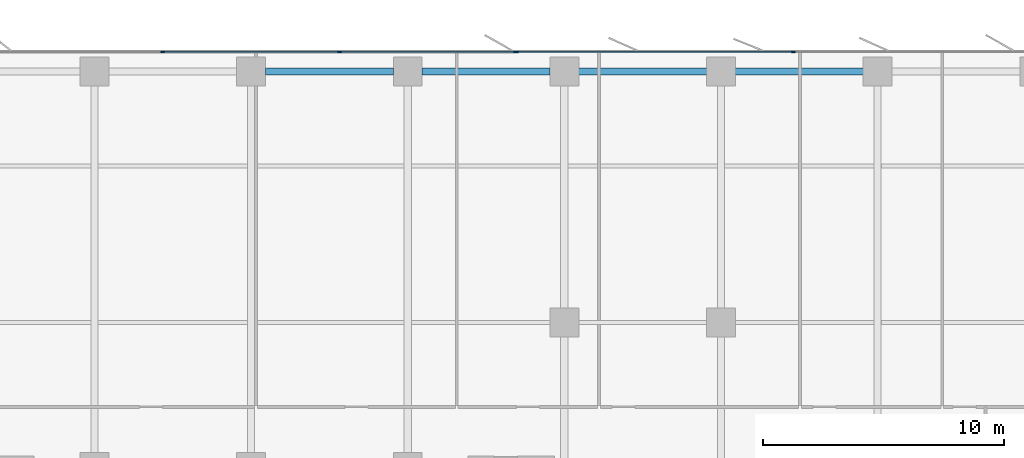
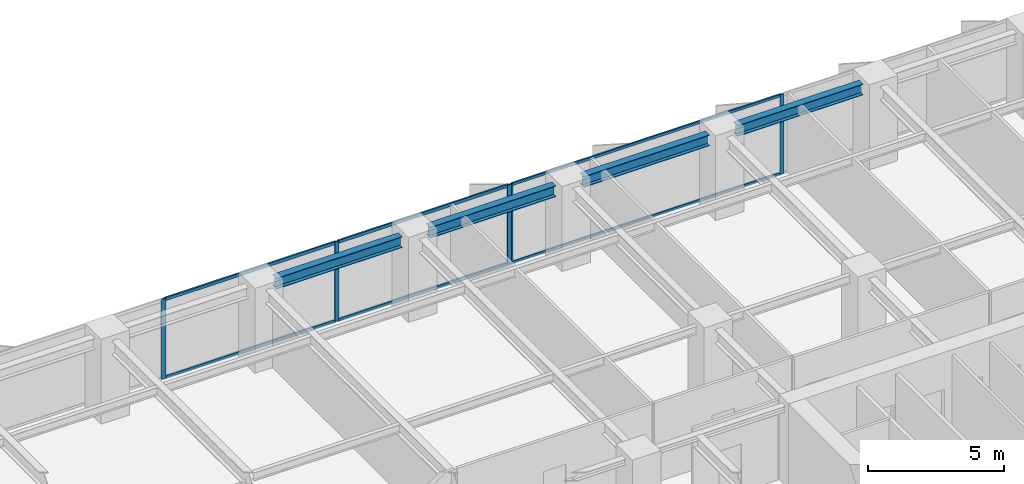
# One storey, part 9 of 20: 11 members, 4 beams, 2 elements without a shape of their own.
"""IFC4 building model written with IfcOpenShell, lengths in metres."""

from ifc_helpers import new_model, si_unit, direction, frame, origin, origin_2d, place, context, subcontext, project, spatial, rectangle, i_section, extrude, material, layer, layer_set, material_profile, profile_set, type_object, element, aggregate, save


model = new_model("IFC4")

# Units and contexts
model_context = context("Model", 3, precision=1e-05, world=origin(), true_north=direction((0.0, 1.0)))
body_context = subcontext(model_context, "Body", "Model", "MODEL_VIEW")
ifc_project = project(units=[si_unit("LENGTHUNIT", "METRE"), si_unit("AREAUNIT", "SQUARE_METRE"), si_unit("VOLUMEUNIT", "CUBIC_METRE"), si_unit("PLANEANGLEUNIT", "RADIAN"), si_unit("MASSUNIT", "GRAM", prefix="KILO")], contexts=[model_context])

# Site, building, storey
site_placement = place(None, origin())
site = spatial("IfcSite", under=ifc_project, at=site_placement, CompositionType="ELEMENT")
building_placement = place(site_placement, origin())
building = spatial("IfcBuilding", under=site, at=building_placement, Name="Putna Gate Headquarters", CompositionType="ELEMENT")
storey_placement = place(building_placement, frame((0.0, 0.0, 105.0)))
storey = spatial("IfcBuildingStorey", under=building, at=storey_placement, Name="L25", CompositionType="ELEMENT", Elevation=105.0)

# Beams
ifc_material_1 = material(Name="Steel S355J2", Category="steel")
ifc_material_profile_1 = material_profile(ifc_material_1, i_section(OverallWidth=0.300048828125, OverallDepth=0.489990234375, WebThickness=0.011962890625, FlangeThickness=0.02294921875, at=origin_2d()), Name="Steel S355J2")
ifc_profile_set_1 = profile_set([ifc_material_profile_1], Name="Steel S355J2")
beam_type = type_object("IfcBeamType", Name="BM-SPAN-Z2-HEA500", PredefinedType="SPANDREL", material=ifc_profile_set_1)
for number, where, z_axis, x_axis, name in (
    (1, (39.587890625, 49.419921875, 3.320068359375), (1.0, 0.0, 0.0), (0.0, 1.0, 0.0), "L25 N Perimeter Spandrel 6"),
    (2, (46.087890625, 49.419921875, 3.320068359375), (1.0, 0.0, 0.0), (0.0, 1.0, 0.0), "L25 N Perimeter Spandrel 7"),
    (3, (52.587890625, 49.419921875, 3.320068359375), (1.0, 0.0, 0.0), (0.0, 1.0, 0.0), "L25 N Perimeter Spandrel 8"),
    (4, (59.087890625, 49.419921875, 3.320068359375), (1.0, 0.0, 0.0), (0.0, 1.0, 0.0), "L25 N Perimeter Spandrel 9"),
):
    element("IfcBeam", number, at=place(storey_placement, frame(where, z_axis=z_axis, x_axis=x_axis)), inside=storey, type_object=beam_type, Name=name, PredefinedType="SPANDREL", context=body_context, shape_type="SweptSolid", body=[
        extrude(i_section(OverallWidth=0.300048828125, OverallDepth=0.489990234375, WebThickness=0.011962890625, FlangeThickness=0.02294921875, at=origin_2d()), origin(), (0.0, 0.0, 1.0), 5.32421875),
    ])

# Curtain wall, members
ifc_material_2 = material(Name="Anodised bronze aluminium curtain wall", Category="aluminium")
ifc_layer_1 = layer(ifc_material_2, 0.159912109375)
ifc_layer_set_1 = layer_set([ifc_layer_1], Name="Anodised bronze aluminium curtain wall")
curtain_wall_type_1 = type_object("IfcCurtainWallType", Name="CW-SYS-Z2", PredefinedType="USERDEFINED", material=ifc_layer_set_1)
curtain_wall_1_placement = place(storey_placement, origin())
curtain_wall_1 = element("IfcCurtainWall", 5, at=curtain_wall_1_placement, inside=storey, type_object=curtain_wall_type_1, Name="L25 North East Curtain Wall", ObjectType="STICK CURTAIN WALL", PredefinedType="USERDEFINED")
ifc_material_3 = material(Name="Anodised bronze aluminium EN AW-6060", Category="aluminium")
ifc_material_profile_2 = material_profile(ifc_material_3, rectangle(XDim=0.06494140625, YDim=0.159912109375, at=origin_2d()), Name="Anodised bronze aluminium EN AW-6060")
ifc_profile_set_2 = profile_set([ifc_material_profile_2], Name="Anodised bronze aluminium EN AW-6060")
member_type_1 = type_object("IfcMemberType", Name="MULL-CWM-2", PredefinedType="MULLION", material=ifc_profile_set_2)
member_1_placement = place(storey_placement, frame((50.032470703125, 50.219970703125, 0.0), z_axis=(0.0, 0.0, 1.0), x_axis=(0.0, 1.0, 0.0)))
member_1 = element("IfcMember", 6, at=member_1_placement, type_object=member_type_1, Name="CWS-2 mullion 1", PredefinedType="MULLION", context=body_context, shape_type="SweptSolid", body=[
    extrude(rectangle(XDim=0.06494140625, YDim=0.159912109375, at=origin_2d()), origin(), (0.0, 0.0, 1.0), 3.56494140625),
])
member_2_placement = place(storey_placement, frame((61.5, 50.219970703125, 0.0), z_axis=(0.0, 0.0, 1.0), x_axis=(0.0, 1.0, 0.0)))
member_2 = element("IfcMember", 7, at=member_2_placement, type_object=member_type_1, Name="CWS-2 mullion 2", PredefinedType="MULLION", context=body_context, shape_type="SweptSolid", body=[
    extrude(rectangle(XDim=0.06494140625, YDim=0.159912109375, at=origin_2d()), origin(), (0.0, 0.0, 1.0), 3.56494140625),
])

ifc_layer_2 = layer(ifc_material_2, 0.179931640625)
ifc_layer_set_2 = layer_set([ifc_layer_2], Name="Anodised bronze aluminium curtain wall")
curtain_wall_type_2 = type_object("IfcCurtainWallType", Name="CW-SYS-ATR", PredefinedType="USERDEFINED", material=ifc_layer_set_2)
curtain_wall_2_placement = place(storey_placement, origin())
curtain_wall_2 = element("IfcCurtainWall", 8, at=curtain_wall_2_placement, inside=storey, type_object=curtain_wall_type_2, Name="L25 North Atrium Clear Glazing", ObjectType="ATRIUM GLAZING", PredefinedType="USERDEFINED")
ifc_material_profile_3 = material_profile(ifc_material_3, rectangle(XDim=0.070068359375, YDim=0.179931640625, at=origin_2d()), Name="Anodised bronze aluminium EN AW-6060")
ifc_profile_set_3 = profile_set([ifc_material_profile_3], Name="Anodised bronze aluminium EN AW-6060")
member_type_2 = type_object("IfcMemberType", Name="MULL-CWM-AT", PredefinedType="MULLION", material=ifc_profile_set_3)
member_3_placement = place(storey_placement, frame((35.333251953125, 50.219970703125, 0.0), z_axis=(0.0, 0.0, 1.0), x_axis=(0.0, 1.0, 0.0)))
member_3 = element("IfcMember", 9, at=member_3_placement, type_object=member_type_2, Name="CWS-AT mullion 2", PredefinedType="MULLION", context=body_context, shape_type="SweptSolid", body=[
    extrude(rectangle(XDim=0.070068359375, YDim=0.179931640625, at=origin_2d()), origin(), (0.0, 0.0, 1.0), 3.56494140625),
])
member_4_placement = place(storey_placement, frame((42.666748046875, 50.219970703125, 0.0), z_axis=(0.0, 0.0, 1.0), x_axis=(0.0, 1.0, 0.0)))
member_4 = element("IfcMember", 10, at=member_4_placement, type_object=member_type_2, Name="CWS-AT mullion 3", PredefinedType="MULLION", context=body_context, shape_type="SweptSolid", body=[
    extrude(rectangle(XDim=0.070068359375, YDim=0.179931640625, at=origin_2d()), origin(), (0.0, 0.0, 1.0), 3.56494140625),
])
member_5_placement = place(storey_placement, frame((49.965087890625, 50.219970703125, 0.0), z_axis=(0.0, 0.0, 1.0), x_axis=(0.0, 1.0, 0.0)))
member_5 = element("IfcMember", 11, at=member_5_placement, type_object=member_type_2, Name="CWS-AT mullion 4", PredefinedType="MULLION", context=body_context, shape_type="SweptSolid", body=[
    extrude(rectangle(XDim=0.070068359375, YDim=0.179931640625, at=origin_2d()), origin(), (0.0, 0.0, 1.0), 3.56494140625),
])

# Member
ifc_material_profile_4 = material_profile(ifc_material_3, rectangle(XDim=0.06494140625, YDim=0.1201171875, at=origin_2d()), Name="Anodised bronze aluminium EN AW-6060")
ifc_profile_set_4 = profile_set([ifc_material_profile_4], Name="Anodised bronze aluminium EN AW-6060")
member_type_3 = type_object("IfcMemberType", Name="TRAN-CWT-2", PredefinedType="USERDEFINED", material=ifc_profile_set_4)
member_6_placement = place(storey_placement, frame((50.06494140625, 50.219970703125, 0.032470703125), z_axis=(1.0, 0.0, 0.0), x_axis=(0.0, 1.0, 0.0)))
member_6 = element("IfcMember", 12, at=member_6_placement, type_object=member_type_3, Name="CWS-2 transom 1.1", ObjectType="TRANSOM", PredefinedType="USERDEFINED", context=body_context, shape_type="SweptSolid", body=[
    extrude(rectangle(XDim=0.06494140625, YDim=0.1201171875, at=origin_2d()), origin(), (0.0, 0.0, 1.0), 11.402587890625),
])

member_7_placement = place(storey_placement, frame((50.06494140625, 50.219970703125, 3.532470703125), z_axis=(1.0, 0.0, 0.0), x_axis=(0.0, 1.0, 0.0)))
member_7 = element("IfcMember", 13, at=member_7_placement, type_object=member_type_3, Name="CWS-2 transom 1.2", ObjectType="TRANSOM", PredefinedType="USERDEFINED", context=body_context, shape_type="SweptSolid", body=[
    extrude(rectangle(XDim=0.06494140625, YDim=0.1201171875, at=origin_2d()), origin(), (0.0, 0.0, 1.0), 11.402587890625),
])

aggregate(curtain_wall_1, [member_1, member_2, member_6, member_7])

ifc_material_profile_5 = material_profile(ifc_material_3, rectangle(XDim=0.070068359375, YDim=0.139892578125, at=origin_2d()), Name="Anodised bronze aluminium EN AW-6060")
ifc_profile_set_5 = profile_set([ifc_material_profile_5], Name="Anodised bronze aluminium EN AW-6060")
member_type_4 = type_object("IfcMemberType", Name="TRAN-CWT-AT", PredefinedType="USERDEFINED", material=ifc_profile_set_5)
member_8_placement = place(storey_placement, frame((35.368408203125, 50.219970703125, 0.034912109375), z_axis=(1.0, 0.0, 0.0), x_axis=(0.0, 1.0, 0.0)))
member_8 = element("IfcMember", 14, at=member_8_placement, type_object=member_type_4, Name="CWS-AT transom 2.1", ObjectType="TRANSOM", PredefinedType="USERDEFINED", context=body_context, shape_type="SweptSolid", body=[
    extrude(rectangle(XDim=0.070068359375, YDim=0.139892578125, at=origin_2d()), origin(), (0.0, 0.0, 1.0), 7.26318359375),
])

member_9_placement = place(storey_placement, frame((35.368408203125, 50.219970703125, 3.530029296875), z_axis=(1.0, 0.0, 0.0), x_axis=(0.0, 1.0, 0.0)))
member_9 = element("IfcMember", 15, at=member_9_placement, type_object=member_type_4, Name="CWS-AT transom 2.2", ObjectType="TRANSOM", PredefinedType="USERDEFINED", context=body_context, shape_type="SweptSolid", body=[
    extrude(rectangle(XDim=0.070068359375, YDim=0.139892578125, at=origin_2d()), origin(), (0.0, 0.0, 1.0), 7.26318359375),
])

member_10_placement = place(storey_placement, frame((42.70166015625, 50.219970703125, 0.034912109375), z_axis=(1.0, 0.0, 0.0), x_axis=(0.0, 1.0, 0.0)))
member_10 = element("IfcMember", 16, at=member_10_placement, type_object=member_type_4, Name="CWS-AT transom 3.1", ObjectType="TRANSOM", PredefinedType="USERDEFINED", context=body_context, shape_type="SweptSolid", body=[
    extrude(rectangle(XDim=0.070068359375, YDim=0.139892578125, at=origin_2d()), origin(), (0.0, 0.0, 1.0), 7.228271484375),
])

member_11_placement = place(storey_placement, frame((42.70166015625, 50.219970703125, 3.530029296875), z_axis=(1.0, 0.0, 0.0), x_axis=(0.0, 1.0, 0.0)))
member_11 = element("IfcMember", 17, at=member_11_placement, type_object=member_type_4, Name="CWS-AT transom 3.2", ObjectType="TRANSOM", PredefinedType="USERDEFINED", context=body_context, shape_type="SweptSolid", body=[
    extrude(rectangle(XDim=0.070068359375, YDim=0.139892578125, at=origin_2d()), origin(), (0.0, 0.0, 1.0), 7.228271484375),
])

aggregate(curtain_wall_2, [member_3, member_4, member_5, member_8, member_9, member_10, member_11])

save(model, "model.ifc")
